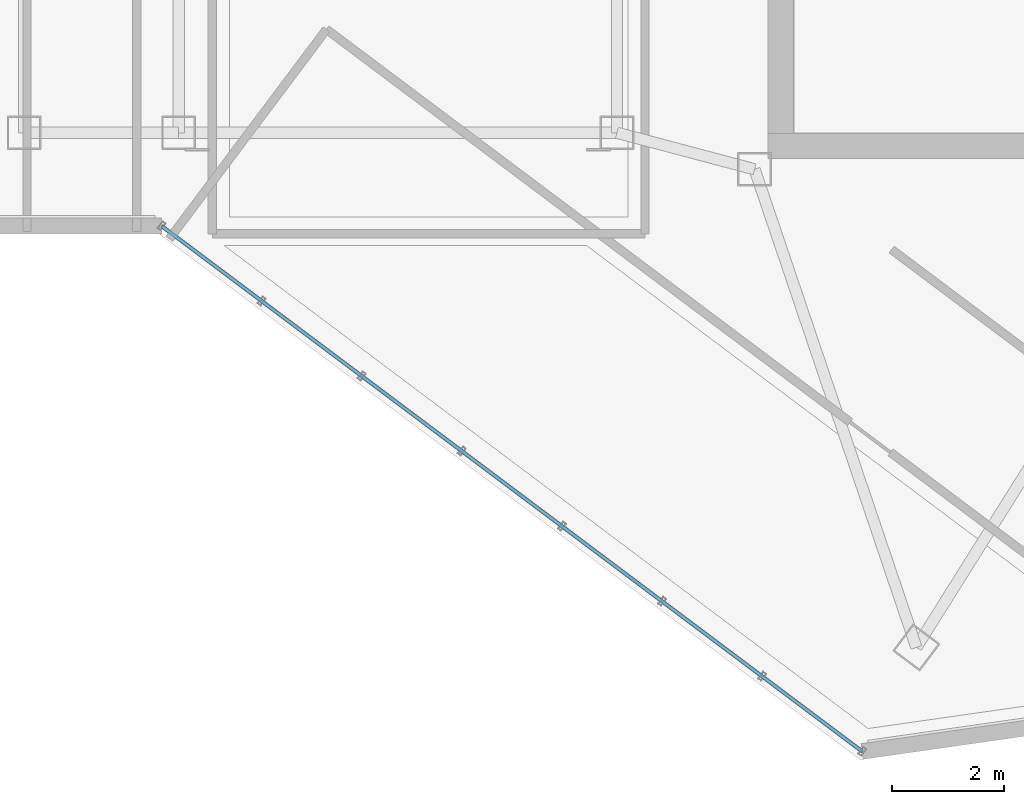
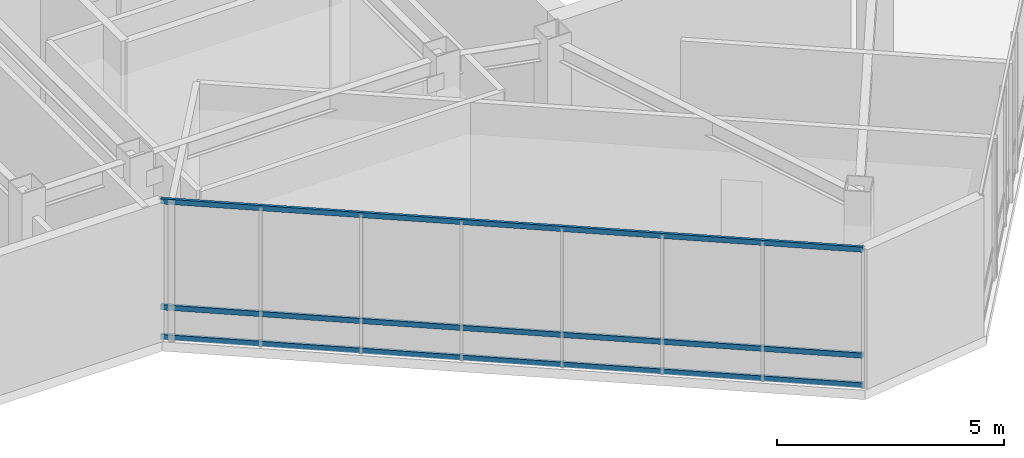
# One storey, part 3 of 30: 3 members, 1 element without a shape of its own.
"""IFC4 building model written with IfcOpenShell, lengths in metres."""

from ifc_helpers import new_model, si_unit, direction, frame, origin, origin_2d, place, context, subcontext, project, spatial, hollow_rectangle, extrude, material, layer, layer_set, material_profile, profile_set, type_object, element, aggregate, save


model = new_model("IFC4")

# Units and contexts
model_context = context("Model", 3, precision=1e-05, world=origin(), true_north=direction((0.0, 1.0)))
body_context = subcontext(model_context, "Body", "Model", "MODEL_VIEW")
ifc_project = project(units=[si_unit("LENGTHUNIT", "METRE"), si_unit("AREAUNIT", "SQUARE_METRE"), si_unit("VOLUMEUNIT", "CUBIC_METRE"), si_unit("PLANEANGLEUNIT", "RADIAN"), si_unit("MASSUNIT", "GRAM", prefix="KILO")], contexts=[model_context])

# Site, building, storey
site_placement = place(None, origin())
site = spatial("IfcSite", under=ifc_project, at=site_placement, CompositionType="ELEMENT")
building_placement = place(site_placement, origin())
building = spatial("IfcBuilding", under=site, at=building_placement, Name="Hatsunagi Terrace Concourse", CompositionType="ELEMENT")
storey_placement = place(building_placement, frame((0.0, 0.0, 273.949951171875)))
storey = spatial("IfcBuildingStorey", under=building, at=storey_placement, Name="L72", CompositionType="ELEMENT", Elevation=273.949951171875)

# Curtain wall, members
ifc_material_1 = material(Name="Anodised Aluminium Alloy 6063-T5", Category="aluminium")
ifc_layer = layer(ifc_material_1, 0.199951171875)
ifc_layer_set = layer_set([ifc_layer], Name="CrownWintergarden_CW06")
curtain_wall_type = type_object("IfcCurtainWallType", Name="CrownWintergarden_CW06", PredefinedType="NOTDEFINED", material=ifc_layer_set)
curtain_wall_placement = place(storey_placement, origin())
curtain_wall = element("IfcCurtainWall", 1, at=curtain_wall_placement, inside=storey, type_object=curtain_wall_type, Name="Unitised Curtain Wall CW-06 CW-L72-05", PredefinedType="NOTDEFINED")
ifc_material_2 = material(Name="Anodised Aluminium Alloy 6063-T5", Category="aluminium")
ifc_material_profile = material_profile(ifc_material_2, hollow_rectangle(XDim=0.06494140625, YDim=0.139892578125, WallThickness=0.00390625, at=origin_2d()), Name="ALU-TRN-140x65x4")
ifc_profile_set = profile_set([ifc_material_profile], Name="Anodised Aluminium Alloy 6063-T5")
member_type = type_object("IfcMemberType", Name="CurtainWallTransom_140x65", PredefinedType="USERDEFINED", material=ifc_profile_set)
member_1_placement = place(storey_placement, frame((37.718017578125, 14.18701171875, 0.050048828125), z_axis=(-0.800005638109, 0.599992482448, 0.0), x_axis=(-0.599992482448, -0.800005638109, 0.0)))
member_1 = element("IfcMember", 2, at=member_1_placement, type_object=member_type, Name="Curtain Wall Transom TRN-02", ObjectType="TRANSOM", PredefinedType="USERDEFINED", context=body_context, shape_type="SweptSolid", body=[
    extrude(hollow_rectangle(XDim=0.06494140625, YDim=0.139892578125, WallThickness=0.00390625, at=origin_2d()), origin(), (0.0, 0.0, 1.0), 15.588623046875),
])
member_2_placement = place(storey_placement, frame((37.718017578125, 14.18701171875, 0.85009765625), z_axis=(-0.800005638109, 0.599992482448, 0.0), x_axis=(-0.599992482448, -0.800005638109, 0.0)))
member_2 = element("IfcMember", 3, at=member_2_placement, type_object=member_type, Name="Curtain Wall Transom TRN-02", ObjectType="TRANSOM", PredefinedType="USERDEFINED", context=body_context, shape_type="SweptSolid", body=[
    extrude(hollow_rectangle(XDim=0.06494140625, YDim=0.139892578125, WallThickness=0.00390625, at=origin_2d()), origin(), (0.0, 0.0, 1.0), 15.588623046875),
])
member_3_placement = place(storey_placement, frame((37.718017578125, 14.18701171875, 3.699951171875), z_axis=(-0.800005638109, 0.599992482448, 0.0), x_axis=(-0.599992482448, -0.800005638109, 0.0)))
member_3 = element("IfcMember", 4, at=member_3_placement, type_object=member_type, Name="Curtain Wall Transom TRN-02", ObjectType="TRANSOM", PredefinedType="USERDEFINED", context=body_context, shape_type="SweptSolid", body=[
    extrude(hollow_rectangle(XDim=0.06494140625, YDim=0.139892578125, WallThickness=0.00390625, at=origin_2d()), origin(), (0.0, 0.0, 1.0), 15.588623046875),
])
aggregate(curtain_wall, [member_1, member_2, member_3])

save(model, "model.ifc")
